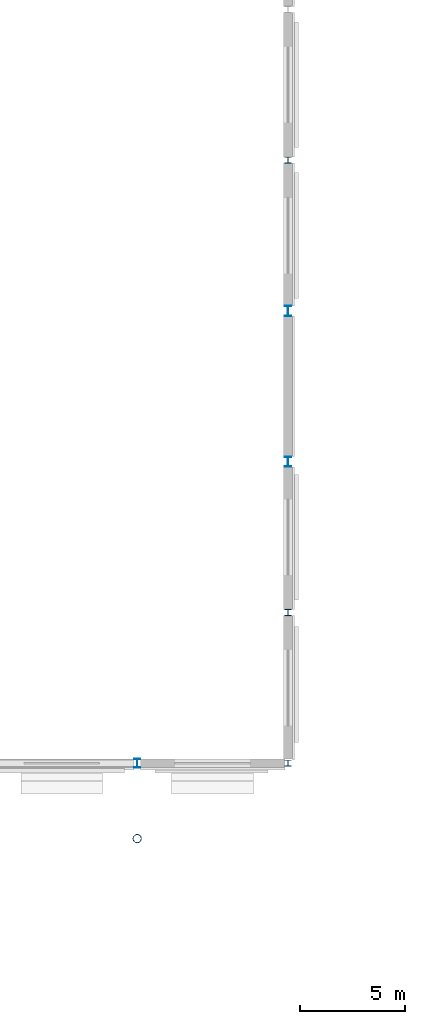
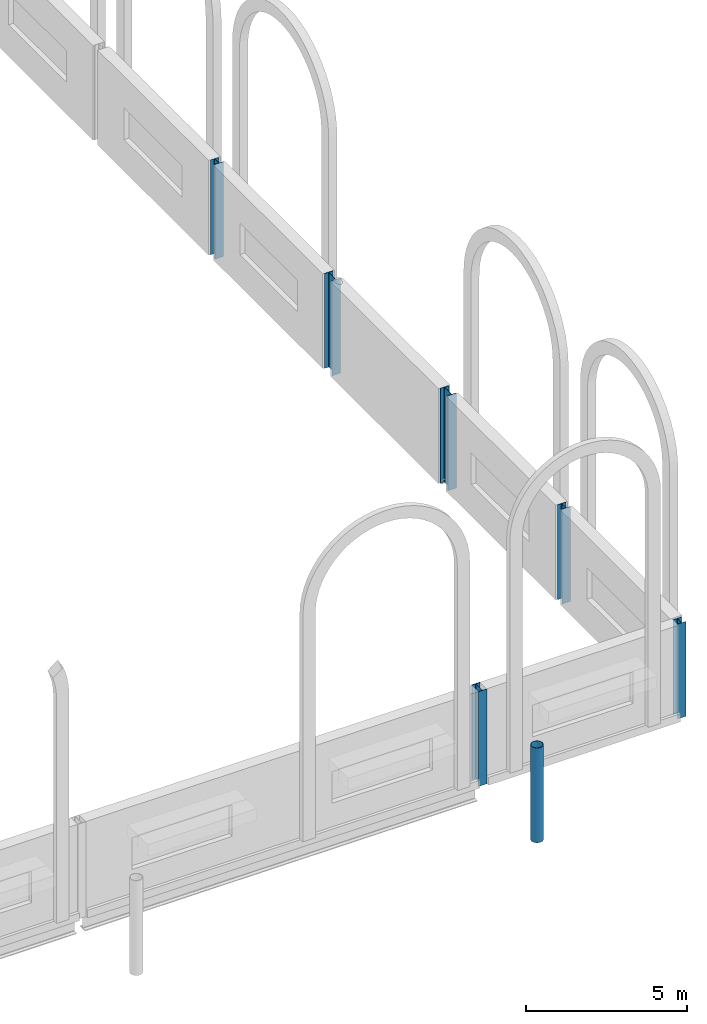
# One storey, part 20 of 143: 7 columns.
"""IFC4 building model written with IfcOpenShell, lengths in metres."""

from ifc_helpers import new_model, si_unit, direction, frame, origin, origin_2d, place, context, subcontext, project, spatial, hollow_circle, i_section, extrude, material, material_profile, profile_set, type_object, element, save


model = new_model("IFC4")

# Units and contexts
model_context = context("Model", 3, precision=1e-05, world=origin(), true_north=direction((0.0, 1.0)))
body_context = subcontext(model_context, "Body", "Model", "MODEL_VIEW")
ifc_project = project(units=[si_unit("LENGTHUNIT", "METRE"), si_unit("AREAUNIT", "SQUARE_METRE"), si_unit("VOLUMEUNIT", "CUBIC_METRE"), si_unit("PLANEANGLEUNIT", "RADIAN"), si_unit("MASSUNIT", "GRAM", prefix="KILO")], contexts=[model_context])

# Site, building, storey
site_placement = place(None, origin())
site = spatial("IfcSite", under=ifc_project, at=site_placement, CompositionType="ELEMENT")
building_placement = place(site_placement, origin())
building = spatial("IfcBuilding", under=site, at=building_placement, Name="Kupolbacken Congress Centre", CompositionType="ELEMENT")
storey_placement = place(building_placement, frame((0.0, 0.0, 7.199951171875)))
storey = spatial("IfcBuildingStorey", under=building, at=storey_placement, Name="L02", CompositionType="ELEMENT", Elevation=7.199951171875)

# Columns
ifc_material_1 = material(Name="Steel S355", Category="steel")
ifc_material_profile_1 = material_profile(ifc_material_1, i_section(OverallWidth=0.300048828125, OverallDepth=0.43994140625, WebThickness=0.011474609375, FlangeThickness=0.02099609375, FilletRadius=0.027099609375, at=origin_2d()), Name="HEA 450")
ifc_profile_set_1 = profile_set([ifc_material_profile_1], Name="Steel S355")
column_type_1 = type_object("IfcColumnType", Name="C07 column HEA 450", PredefinedType="COLUMN", material=ifc_profile_set_1)
column_1_placement = place(storey_placement, frame((194.39990234375, 43.199951171875, 0.0), z_axis=(0.0, 0.0, 1.0), x_axis=(1.0, 0.0, 0.0)))
element("IfcColumn", 1, at=column_1_placement, inside=storey, type_object=column_type_1, Name="S/col/C-H-T8S/L02", PredefinedType="COLUMN", context=body_context, shape_type="SweptSolid", body=[
    extrude(i_section(OverallWidth=0.300048828125, OverallDepth=0.43994140625, WebThickness=0.011474609375, FlangeThickness=0.02099609375, FilletRadius=0.027099609375, at=origin_2d()), origin(), (0.0, 0.0, 1.0), 3.60009765625),
])
ifc_material_2 = material(Name="Steel S355", Category="steel")
ifc_material_profile_2 = material_profile(ifc_material_2, i_section(OverallWidth=0.300048828125, OverallDepth=0.2900390625, WebThickness=0.008544921875, FlangeThickness=0.013916015625, FilletRadius=0.027099609375, at=origin_2d()), Name="HEA 300")
ifc_profile_set_2 = profile_set([ifc_material_profile_2], Name="Steel S355")
column_type_2 = type_object("IfcColumnType", Name="C09 column HEA 300", PredefinedType="COLUMN", material=ifc_profile_set_2)
for number, where, z_axis, x_axis, name in (
    (2, (201.60009765625, 43.199951171875, 0.0), (0.0, 0.0, 1.0), (1.0, 0.0, 0.0), "S/col/C-H-PE01/L02"),
    (3, (201.60009765625, 50.39990234375, 0.0), (0.0, 0.0, 1.0), (1.0, 0.0, 0.0), "S/col/C-H-PE02/L02"),
    (4, (201.60009765625, 72.0, 0.0), (0.0, 0.0, 1.0), (1.0, 0.0, 0.0), "S/col/C-H-PE05/L02"),
):
    element("IfcColumn", number, at=place(storey_placement, frame(where, z_axis=z_axis, x_axis=x_axis)), inside=storey, type_object=column_type_2, Name=name, PredefinedType="COLUMN", context=body_context, shape_type="SweptSolid", body=[
        extrude(i_section(OverallWidth=0.300048828125, OverallDepth=0.2900390625, WebThickness=0.008544921875, FlangeThickness=0.013916015625, FilletRadius=0.027099609375, at=origin_2d()), origin(), (0.0, 0.0, 1.0), 3.60009765625),
    ])
ifc_material_3 = material(Name="Steel S355", Category="steel")
ifc_material_profile_3 = material_profile(ifc_material_3, i_section(OverallWidth=0.300048828125, OverallDepth=0.489990234375, WebThickness=0.011962890625, FlangeThickness=0.02294921875, FilletRadius=0.027099609375, at=origin_2d()), Name="HEA 500")
ifc_profile_set_3 = profile_set([ifc_material_profile_3], Name="Steel S355")
column_type_3 = type_object("IfcColumnType", Name="C14 column HEA 500", PredefinedType="COLUMN", material=ifc_profile_set_3)
for number, where, z_axis, x_axis, name in (
    (5, (201.60009765625, 57.60009765625, 0.0), (0.0, 0.0, 1.0), (1.0, 0.0, 0.0), "S/col/C-H-PE03/L02"),
    (6, (201.60009765625, 64.800048828125, 0.0), (0.0, 0.0, 1.0), (1.0, 0.0, 0.0), "S/col/C-H-PE04/L02"),
):
    element("IfcColumn", number, at=place(storey_placement, frame(where, z_axis=z_axis, x_axis=x_axis)), inside=storey, type_object=column_type_3, Name=name, PredefinedType="COLUMN", context=body_context, shape_type="SweptSolid", body=[
        extrude(i_section(OverallWidth=0.300048828125, OverallDepth=0.489990234375, WebThickness=0.011962890625, FlangeThickness=0.02294921875, FilletRadius=0.027099609375, at=origin_2d()), origin(), (0.0, 0.0, 1.0), 3.60009765625),
    ])
ifc_material_4 = material(Name="Steel S355", Category="steel")
ifc_material_profile_4 = material_profile(ifc_material_4, hollow_circle(Radius=0.203125, WallThickness=0.01611328125, at=origin_2d()), Name="CHS 406.4 x 16")
ifc_profile_set_4 = profile_set([ifc_material_profile_4], Name="Steel S355")
column_type_4 = type_object("IfcColumnType", Name="C15 roof mast CHS 406.4 x 16", PredefinedType="COLUMN", material=ifc_profile_set_4)
column_2_placement = place(storey_placement, frame((194.39990234375, 39.60009765625, 0.0), z_axis=(0.0, 0.0, 1.0), x_axis=(1.0, 0.0, 0.0)))
element("IfcColumn", 7, at=column_2_placement, inside=storey, type_object=column_type_4, Name="Roof mast M8S", PredefinedType="COLUMN", context=body_context, shape_type="SweptSolid", body=[
    extrude(hollow_circle(Radius=0.203125, WallThickness=0.01611328125, at=origin_2d()), origin(), (0.0, 0.0, 1.0), 3.60009765625),
])

save(model, "model.ifc")
